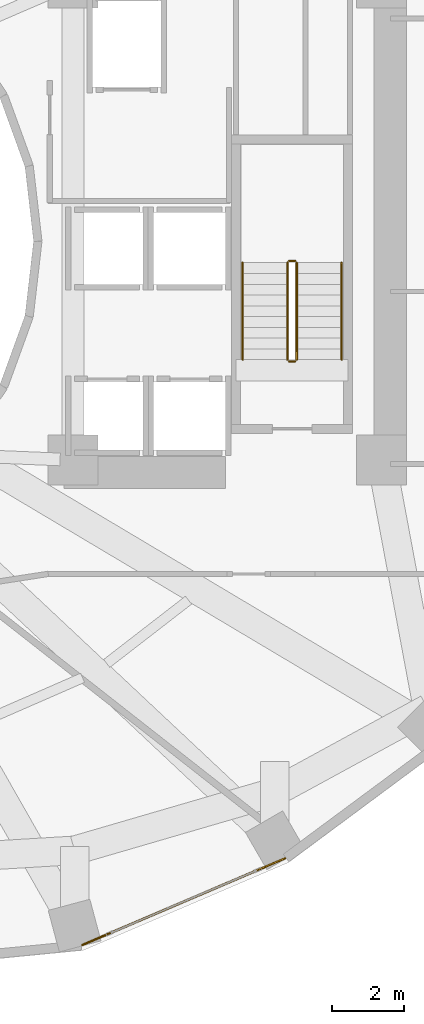
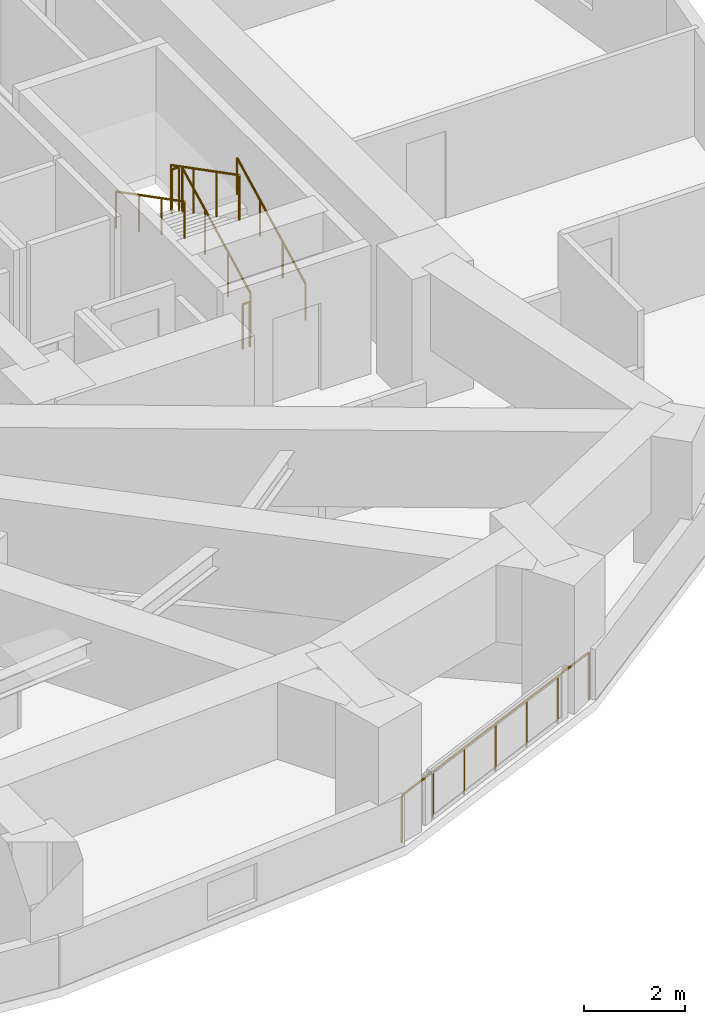
# One storey, part 15 of 16: 7 railings.
"""IFC4 building model written with IfcOpenShell, lengths in metres."""

from ifc_helpers import new_model, si_unit, direction, frame, origin, origin_2d, place, context, subcontext, project, spatial, circle, extrude, material, type_object, element, save


model = new_model("IFC4")

# Units and contexts
model_context = context("Model", 3, precision=1e-05, world=origin(), true_north=direction((0.0, 1.0)))
body_context = subcontext(model_context, "Body", "Model", "MODEL_VIEW")
ifc_project = project(units=[si_unit("LENGTHUNIT", "METRE"), si_unit("AREAUNIT", "SQUARE_METRE"), si_unit("VOLUMEUNIT", "CUBIC_METRE"), si_unit("PLANEANGLEUNIT", "RADIAN"), si_unit("MASSUNIT", "GRAM", prefix="KILO")], contexts=[model_context])

# Site, building, storey
site_placement = place(None, origin())
site = spatial("IfcSite", under=ifc_project, at=site_placement, CompositionType="ELEMENT")
building_placement = place(site_placement, origin())
building = spatial("IfcBuilding", under=site, at=building_placement, Name="Solvane Sanctuary Tower", CompositionType="ELEMENT")
storey_placement = place(building_placement, frame((0.0, 0.0, 33.800048828125)))
storey = spatial("IfcBuildingStorey", under=building, at=storey_placement, Name="L09", CompositionType="ELEMENT", Elevation=33.800048828125)

# Railings
ifc_material = material(Name="Architectural Stainless Steel 316", Category="steel")
railing_type_1 = type_object("IfcRailingType", Name="Railing GR-BALC-1150", PredefinedType="BALUSTRADE", material=ifc_material)
railing_1_placement = place(storey_placement, frame((40.359375, 3.37548828125, 0.0)))
element("IfcRailing", 1, at=railing_1_placement, inside=storey, type_object=railing_type_1, Name="L09 Curtain-Wall Perimeter Sill Guard 19", PredefinedType="BALUSTRADE", context=body_context, shape_type="SweptSolid", body=[
    extrude(circle(Radius=0.02392578125, at=origin_2d()), frame((0.0, 0.0, 1.1259765625), z_axis=(0.919604392421, 0.392845722186, 0.0), x_axis=(-0.392845722186, 0.919604392421, 0.0)), (0.0, 0.0, 1.0), 6.1494140625),
    extrude(circle(Radius=0.02099609375, at=origin_2d()), origin(), (0.0, 0.0, 1.0), 1.101806640625),
    extrude(circle(Radius=0.02099609375, at=origin_2d()), frame((0.9423828125, 0.402587890625, 0.0)), (0.0, 0.0, 1.0), 1.101806640625),
    extrude(circle(Radius=0.02099609375, at=origin_2d()), frame((1.885009765625, 0.80517578125, 0.0)), (0.0, 0.0, 1.0), 1.101806640625),
    extrude(circle(Radius=0.02099609375, at=origin_2d()), frame((2.82763671875, 1.2080078125, 0.0)), (0.0, 0.0, 1.0), 1.101806640625),
    extrude(circle(Radius=0.02099609375, at=origin_2d()), frame((3.77001953125, 1.610595703125, 0.0)), (0.0, 0.0, 1.0), 1.101806640625),
    extrude(circle(Radius=0.02099609375, at=origin_2d()), frame((4.71240234375, 2.01318359375, 0.0)), (0.0, 0.0, 1.0), 1.101806640625),
    extrude(circle(Radius=0.02099609375, at=origin_2d()), frame((5.655029296875, 2.415771484375, 0.0)), (0.0, 0.0, 1.0), 1.101806640625),
])
railing_2_placement = place(storey_placement, frame((46.340087890625, 19.699951171875, 0.155029296875)))
element("IfcRailing", 2, at=railing_2_placement, inside=storey, type_object=railing_type_1, Name="L09 ST-2 stair guard 1", PredefinedType="BALUSTRADE", context=body_context, shape_type="SweptSolid", body=[
    extrude(circle(Radius=0.02392578125, at=origin_2d()), frame((0.0, 0.0, 1.076171875), z_axis=(0.0, 0.888419900624, 0.459031676658), x_axis=(-1.0, 0.0, 0.0)), (0.0, 0.0, 1.0), 3.0390625),
    extrude(circle(Radius=0.02099609375, at=origin_2d()), origin(), (0.0, 0.0, 1.0), 1.052001953125),
    extrude(circle(Radius=0.02099609375, at=origin_2d()), frame((0.0, 0.89990234375, 0.465087890625)), (0.0, 0.0, 1.0), 1.052001953125),
    extrude(circle(Radius=0.02099609375, at=origin_2d()), frame((0.0, 1.800048828125, 0.929931640625)), (0.0, 0.0, 1.0), 1.052001953125),
    extrude(circle(Radius=0.02099609375, at=origin_2d()), frame((0.0, 2.699951171875, 1.39501953125)), (0.0, 0.0, 1.0), 1.052001953125),
])
railing_3_placement = place(storey_placement, frame((46.2900390625, 22.449951171875, 1.550048828125)))
element("IfcRailing", 3, at=railing_3_placement, inside=storey, type_object=railing_type_1, Name="L09 ST-2 stair guard 2", PredefinedType="BALUSTRADE", context=body_context, shape_type="SweptSolid", body=[
    extrude(circle(Radius=0.02392578125, at=origin_2d()), frame((0.0, 0.0, 1.076171875), z_axis=(-1.0, 0.0, 0.0), x_axis=(0.0, -1.0, 0.0)), (0.0, 0.0, 1.0), 0.16015625),
    extrude(circle(Radius=0.02099609375, at=origin_2d()), origin(), (0.0, 0.0, 1.0), 1.052001953125),
    extrude(circle(Radius=0.02099609375, at=origin_2d()), frame((-0.16015625, 0.0, 0.0)), (0.0, 0.0, 1.0), 1.052001953125),
])
railing_4_placement = place(storey_placement, frame((46.080078125, 22.39990234375, 1.704833984375)))
element("IfcRailing", 4, at=railing_4_placement, inside=storey, type_object=railing_type_1, Name="L09 ST-2 stair guard 3", PredefinedType="BALUSTRADE", context=body_context, shape_type="SweptSolid", body=[
    extrude(circle(Radius=0.02392578125, at=origin_2d()), frame((0.0, 0.0, 1.076171875), z_axis=(0.0, -0.888419900624, 0.459031676658), x_axis=(1.0, 0.0, 0.0)), (0.0, 0.0, 1.0), 3.0390625),
    extrude(circle(Radius=0.02099609375, at=origin_2d()), origin(), (0.0, 0.0, 1.0), 1.052001953125),
    extrude(circle(Radius=0.02099609375, at=origin_2d()), frame((0.0, -0.89990234375, 0.465087890625)), (0.0, 0.0, 1.0), 1.052001953125),
    extrude(circle(Radius=0.02099609375, at=origin_2d()), frame((0.0, -1.800048828125, 0.929931640625)), (0.0, 0.0, 1.0), 1.052001953125),
    extrude(circle(Radius=0.02099609375, at=origin_2d()), frame((0.0, -2.699951171875, 1.39501953125)), (0.0, 0.0, 1.0), 1.052001953125),
])
railing_5_placement = place(storey_placement, frame((46.2900390625, 19.64990234375, 0.0)))
element("IfcRailing", 5, at=railing_5_placement, inside=storey, type_object=railing_type_1, Name="L09 ST-2 stair guard 4", PredefinedType="BALUSTRADE", context=body_context, shape_type="SweptSolid", body=[
    extrude(circle(Radius=0.02392578125, at=origin_2d()), frame((0.0, 0.0, 1.076171875), z_axis=(-1.0, 0.0, 0.0), x_axis=(0.0, -1.0, 0.0)), (0.0, 0.0, 1.0), 0.16015625),
    extrude(circle(Radius=0.02099609375, at=origin_2d()), origin(), (0.0, 0.0, 1.0), 1.052001953125),
    extrude(circle(Radius=0.02099609375, at=origin_2d()), frame((-0.16015625, 0.0, 0.0)), (0.0, 0.0, 1.0), 1.052001953125),
])
railing_type_2 = type_object("IfcRailingType", Name="Railing HR-STAIR-920", PredefinedType="HANDRAIL", material=ifc_material)
railing_6_placement = place(storey_placement, frame((47.590087890625, 19.699951171875, 0.155029296875)))
element("IfcRailing", 6, at=railing_6_placement, inside=storey, type_object=railing_type_2, Name="L09 ST-2 stair handrail 1", PredefinedType="HANDRAIL", context=body_context, shape_type="SweptSolid", body=[
    extrude(circle(Radius=0.02392578125, at=origin_2d()), frame((0.0, 0.0, 0.8759765625), z_axis=(0.0, 0.888419900624, 0.459031676658), x_axis=(-1.0, 0.0, 0.0)), (0.0, 0.0, 1.0), 3.0390625),
    extrude(circle(Radius=0.02099609375, at=origin_2d()), origin(), (0.0, 0.0, 1.0), 0.851806640625),
    extrude(circle(Radius=0.02099609375, at=origin_2d()), frame((0.0, 0.89990234375, 0.465087890625)), (0.0, 0.0, 1.0), 0.851806640625),
    extrude(circle(Radius=0.02099609375, at=origin_2d()), frame((0.0, 1.800048828125, 0.929931640625)), (0.0, 0.0, 1.0), 0.851806640625),
    extrude(circle(Radius=0.02099609375, at=origin_2d()), frame((0.0, 2.699951171875, 1.39501953125)), (0.0, 0.0, 1.0), 0.851806640625),
])
railing_7_placement = place(storey_placement, frame((44.830078125, 22.39990234375, 1.704833984375)))
element("IfcRailing", 7, at=railing_7_placement, inside=storey, type_object=railing_type_2, Name="L09 ST-2 stair handrail 2", PredefinedType="HANDRAIL", context=body_context, shape_type="SweptSolid", body=[
    extrude(circle(Radius=0.02392578125, at=origin_2d()), frame((0.0, 0.0, 0.8759765625), z_axis=(0.0, -0.888419900624, 0.459031676658), x_axis=(1.0, 0.0, 0.0)), (0.0, 0.0, 1.0), 3.0390625),
    extrude(circle(Radius=0.02099609375, at=origin_2d()), origin(), (0.0, 0.0, 1.0), 0.851806640625),
    extrude(circle(Radius=0.02099609375, at=origin_2d()), frame((0.0, -0.89990234375, 0.465087890625)), (0.0, 0.0, 1.0), 0.851806640625),
    extrude(circle(Radius=0.02099609375, at=origin_2d()), frame((0.0, -1.800048828125, 0.929931640625)), (0.0, 0.0, 1.0), 0.851806640625),
    extrude(circle(Radius=0.02099609375, at=origin_2d()), frame((0.0, -2.699951171875, 1.39501953125)), (0.0, 0.0, 1.0), 0.851806640625),
])

save(model, "model.ifc")
